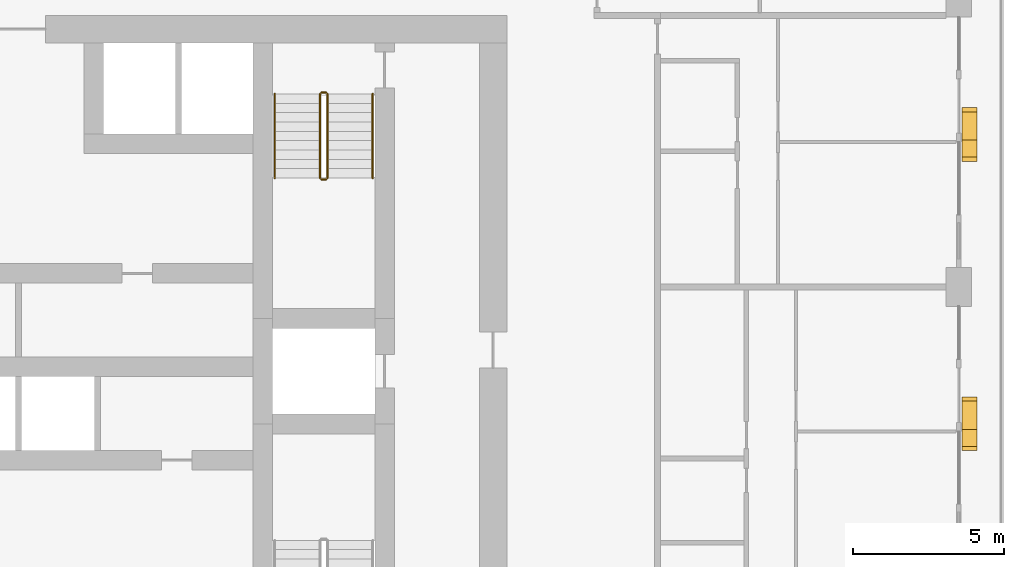
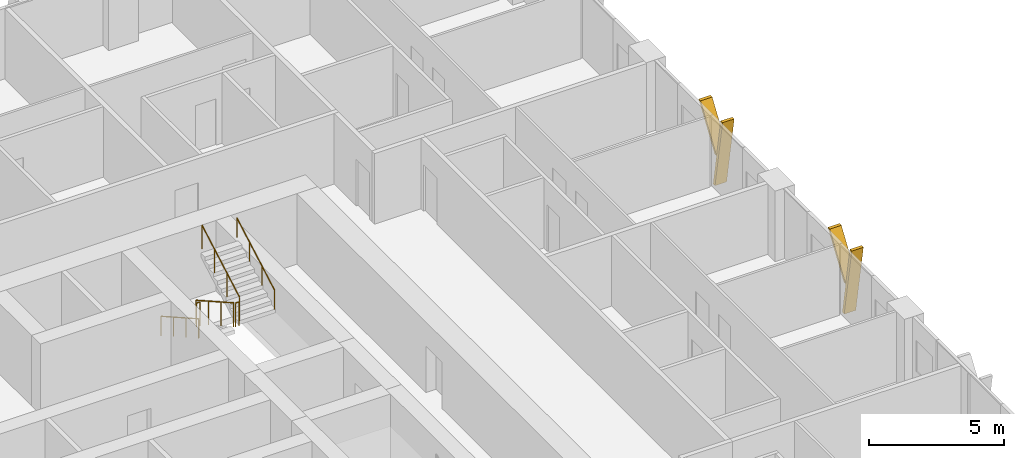
# One storey, part 20 of 21: 6 railings, 4 shading devices.
"""IFC4 building model written with IfcOpenShell, lengths in metres."""

from ifc_helpers import new_model, si_unit, direction, frame, origin, origin_2d, place, context, subcontext, project, spatial, polyline, circle, outline, extrude, material, type_object, element, save


model = new_model("IFC4")

# Units and contexts
model_context = context("Model", 3, precision=1e-05, world=origin(), true_north=direction((0.0, 1.0)))
body_context = subcontext(model_context, "Body", "Model", "MODEL_VIEW")
ifc_project = project(units=[si_unit("LENGTHUNIT", "METRE"), si_unit("AREAUNIT", "SQUARE_METRE"), si_unit("VOLUMEUNIT", "CUBIC_METRE"), si_unit("PLANEANGLEUNIT", "RADIAN"), si_unit("MASSUNIT", "GRAM", prefix="KILO")], contexts=[model_context])

# Site, building, storey
site_placement = place(None, origin())
site = spatial("IfcSite", under=ifc_project, at=site_placement, CompositionType="ELEMENT")
building_placement = place(site_placement, origin())
building = spatial("IfcBuilding", under=site, at=building_placement, Name="Madar Terraces", CompositionType="ELEMENT")
storey_placement = place(building_placement, frame((0.0, 0.0, 96.199951171875)))
storey = spatial("IfcBuildingStorey", under=building, at=storey_placement, Name="L24", CompositionType="ELEMENT", Elevation=96.199951171875)

# Shading devices
ifc_material_1 = material(Name="Aluminium, black anodised", Category="aluminium")
shading_device_type = type_object("IfcShadingDeviceType", Name="Facade fin blade 140 x 500", PredefinedType="USERDEFINED", material=ifc_material_1)
shading_device_1_placement = place(storey_placement, frame((62.75, 23.929931640625, 0.0), z_axis=(0.0, 0.0, 1.0), x_axis=(0.0, 1.0, 0.0)))
element("IfcShadingDevice", 1, at=shading_device_1_placement, inside=storey, type_object=shading_device_type, Name="FIN L24 E2", ObjectType="FIN", PredefinedType="USERDEFINED", context=body_context, shape_type="SweptSolid", body=[
    extrude(outline(polyline([(0.0, 0.0), (0.14013671875, 0.0), (-0.42431640625, 3.199951171875), (-0.564208984375, 3.199951171875), (0.0, 0.0)])), frame((0.0, 0.25, 0.0), z_axis=(0.0, -1.0, 0.0), x_axis=(1.0, 0.0, 0.0)), (0.0, 0.0, 1.0), 0.5),
])
shading_device_2_placement = place(storey_placement, frame((62.75, 23.816162109375, 1.43994140625), z_axis=(0.0, 0.0, 1.0), x_axis=(0.0, 1.0, 0.0)))
element("IfcShadingDevice", 2, at=shading_device_2_placement, inside=storey, type_object=shading_device_type, Name="FIN L24 E2 branch", ObjectType="FIN", PredefinedType="USERDEFINED", context=body_context, shape_type="SweptSolid", body=[
    extrude(outline(polyline([(0.0, 0.0), (0.139892578125, 0.0), (1.32958984375, 1.760009765625), (1.189697265625, 1.760009765625), (0.0, 0.0)])), frame((0.0, 0.25, 0.0), z_axis=(0.0, -1.0, 0.0), x_axis=(1.0, 0.0, 0.0)), (0.0, 0.0, 1.0), 0.5),
])
shading_device_3_placement = place(storey_placement, frame((62.75, 33.530029296875, 0.0), z_axis=(0.0, 0.0, 1.0), x_axis=(0.0, 1.0, 0.0)))
element("IfcShadingDevice", 3, at=shading_device_3_placement, inside=storey, type_object=shading_device_type, Name="FIN L24 E3", ObjectType="FIN", PredefinedType="USERDEFINED", context=body_context, shape_type="SweptSolid", body=[
    extrude(outline(polyline([(0.0, 0.0), (0.139892578125, 0.0), (-0.42431640625, 3.199951171875), (-0.564208984375, 3.199951171875), (0.0, 0.0)])), frame((0.0, 0.25, 0.0), z_axis=(0.0, -1.0, 0.0), x_axis=(1.0, 0.0, 0.0)), (0.0, 0.0, 1.0), 0.5),
])
shading_device_4_placement = place(storey_placement, frame((62.75, 33.416015625, 1.43994140625), z_axis=(0.0, 0.0, 1.0), x_axis=(0.0, 1.0, 0.0)))
element("IfcShadingDevice", 4, at=shading_device_4_placement, inside=storey, type_object=shading_device_type, Name="FIN L24 E3 branch", ObjectType="FIN", PredefinedType="USERDEFINED", context=body_context, shape_type="SweptSolid", body=[
    extrude(outline(polyline([(0.0, 0.0), (0.14013671875, 0.0), (1.32958984375, 1.760009765625), (1.189697265625, 1.760009765625), (0.0, 0.0)])), frame((0.0, 0.25, 0.0), z_axis=(0.0, -1.0, 0.0), x_axis=(1.0, 0.0, 0.0)), (0.0, 0.0, 1.0), 0.5),
])

# Railings
ifc_material_2 = material(Name="Stainless steel railing", Category="steel")
railing_type_1 = type_object("IfcRailingType", Name="Stair guard 1100", PredefinedType="GUARDRAIL", material=ifc_material_2)
railing_1_placement = place(storey_placement, frame((41.199951171875, 35.199951171875, 0.175048828125)))
element("IfcRailing", 5, at=railing_1_placement, inside=storey, type_object=railing_type_1, Name="L24 ST2 stair guard 1", PredefinedType="GUARDRAIL", context=body_context, shape_type="SweptSolid", body=[
    extrude(circle(Radius=0.02392578125, at=origin_2d()), frame((0.0, 0.0, 1.076171875), z_axis=(0.0, -0.870833779661, 0.491577591232), x_axis=(1.0, 0.0, 0.0)), (0.0, 0.0, 1.0), 3.203857421875),
    extrude(circle(Radius=0.02099609375, at=origin_2d()), origin(), (0.0, 0.0, 1.0), 1.052001953125),
    extrude(circle(Radius=0.02099609375, at=origin_2d()), frame((0.0, -0.929931640625, 0.52490234375)), (0.0, 0.0, 1.0), 1.052001953125),
    extrude(circle(Radius=0.02099609375, at=origin_2d()), frame((0.0, -1.860107421875, 1.050048828125)), (0.0, 0.0, 1.0), 1.052001953125),
    extrude(circle(Radius=0.02099609375, at=origin_2d()), frame((0.0, -2.7900390625, 1.574951171875)), (0.0, 0.0, 1.0), 1.052001953125),
])
railing_2_placement = place(storey_placement, frame((41.25, 32.360107421875, 1.75)))
element("IfcRailing", 6, at=railing_2_placement, inside=storey, type_object=railing_type_1, Name="L24 ST2 stair guard 2", PredefinedType="GUARDRAIL", context=body_context, shape_type="SweptSolid", body=[
    extrude(circle(Radius=0.02392578125, at=origin_2d()), frame((0.0, 0.0, 1.076171875), z_axis=(1.0, 0.0, 0.0), x_axis=(0.0, 1.0, 0.0)), (0.0, 0.0, 1.0), 0.14990234375),
    extrude(circle(Radius=0.02099609375, at=origin_2d()), origin(), (0.0, 0.0, 1.0), 1.052001953125),
    extrude(circle(Radius=0.02099609375, at=origin_2d()), frame((0.14990234375, 0.0, 0.0)), (0.0, 0.0, 1.0), 1.052001953125),
])
railing_3_placement = place(storey_placement, frame((41.449951171875, 32.409912109375, 1.925048828125)))
element("IfcRailing", 7, at=railing_3_placement, inside=storey, type_object=railing_type_1, Name="L24 ST2 stair guard 3", PredefinedType="GUARDRAIL", context=body_context, shape_type="SweptSolid", body=[
    extrude(circle(Radius=0.02392578125, at=origin_2d()), frame((0.0, 0.0, 1.076171875), z_axis=(0.0, 0.870833779661, 0.491577591232), x_axis=(-1.0, 0.0, 0.0)), (0.0, 0.0, 1.0), 3.203857421875),
    extrude(circle(Radius=0.02099609375, at=origin_2d()), origin(), (0.0, 0.0, 1.0), 1.052001953125),
    extrude(circle(Radius=0.02099609375, at=origin_2d()), frame((0.0, 0.929931640625, 0.52490234375)), (0.0, 0.0, 1.0), 1.052001953125),
    extrude(circle(Radius=0.02099609375, at=origin_2d()), frame((0.0, 1.860107421875, 1.050048828125)), (0.0, 0.0, 1.0), 1.052001953125),
    extrude(circle(Radius=0.02099609375, at=origin_2d()), frame((0.0, 2.7900390625, 1.574951171875)), (0.0, 0.0, 1.0), 1.052001953125),
])
railing_4_placement = place(storey_placement, frame((41.25, 35.25, 0.0)))
element("IfcRailing", 8, at=railing_4_placement, inside=storey, type_object=railing_type_1, Name="L24 ST2 stair guard 4", PredefinedType="GUARDRAIL", context=body_context, shape_type="SweptSolid", body=[
    extrude(circle(Radius=0.02392578125, at=origin_2d()), frame((0.0, 0.0, 1.076171875), z_axis=(1.0, 0.0, 0.0), x_axis=(0.0, 1.0, 0.0)), (0.0, 0.0, 1.0), 0.14990234375),
    extrude(circle(Radius=0.02099609375, at=origin_2d()), origin(), (0.0, 0.0, 1.0), 1.052001953125),
    extrude(circle(Radius=0.02099609375, at=origin_2d()), frame((0.14990234375, 0.0, 0.0)), (0.0, 0.0, 1.0), 1.052001953125),
])
ifc_material_3 = material(Name="Stainless steel railing", Category="steel")
railing_type_2 = type_object("IfcRailingType", Name="Stair handrail 900", PredefinedType="HANDRAIL", material=ifc_material_3)
railing_5_placement = place(storey_placement, frame((39.699951171875, 35.199951171875, 0.175048828125)))
element("IfcRailing", 9, at=railing_5_placement, inside=storey, type_object=railing_type_2, Name="L24 ST2 stair handrail 1", PredefinedType="HANDRAIL", context=body_context, shape_type="SweptSolid", body=[
    extrude(circle(Radius=0.02392578125, at=origin_2d()), frame((0.0, 0.0, 0.8759765625), z_axis=(0.0, -0.870833779661, 0.491577591232), x_axis=(1.0, 0.0, 0.0)), (0.0, 0.0, 1.0), 3.203857421875),
    extrude(circle(Radius=0.02099609375, at=origin_2d()), origin(), (0.0, 0.0, 1.0), 0.851806640625),
    extrude(circle(Radius=0.02099609375, at=origin_2d()), frame((0.0, -0.929931640625, 0.52490234375)), (0.0, 0.0, 1.0), 0.851806640625),
    extrude(circle(Radius=0.02099609375, at=origin_2d()), frame((0.0, -1.860107421875, 1.050048828125)), (0.0, 0.0, 1.0), 0.851806640625),
    extrude(circle(Radius=0.02099609375, at=origin_2d()), frame((0.0, -2.7900390625, 1.574951171875)), (0.0, 0.0, 1.0), 0.851806640625),
])
railing_6_placement = place(storey_placement, frame((42.949951171875, 32.409912109375, 1.925048828125)))
element("IfcRailing", 10, at=railing_6_placement, inside=storey, type_object=railing_type_2, Name="L24 ST2 stair handrail 2", PredefinedType="HANDRAIL", context=body_context, shape_type="SweptSolid", body=[
    extrude(circle(Radius=0.02392578125, at=origin_2d()), frame((0.0, 0.0, 0.8759765625), z_axis=(0.0, 0.870833779661, 0.491577591232), x_axis=(-1.0, 0.0, 0.0)), (0.0, 0.0, 1.0), 3.203857421875),
    extrude(circle(Radius=0.02099609375, at=origin_2d()), origin(), (0.0, 0.0, 1.0), 0.851806640625),
    extrude(circle(Radius=0.02099609375, at=origin_2d()), frame((0.0, 0.929931640625, 0.52490234375)), (0.0, 0.0, 1.0), 0.851806640625),
    extrude(circle(Radius=0.02099609375, at=origin_2d()), frame((0.0, 1.860107421875, 1.050048828125)), (0.0, 0.0, 1.0), 0.851806640625),
    extrude(circle(Radius=0.02099609375, at=origin_2d()), frame((0.0, 2.7900390625, 1.574951171875)), (0.0, 0.0, 1.0), 0.851806640625),
])

save(model, "model.ifc")
